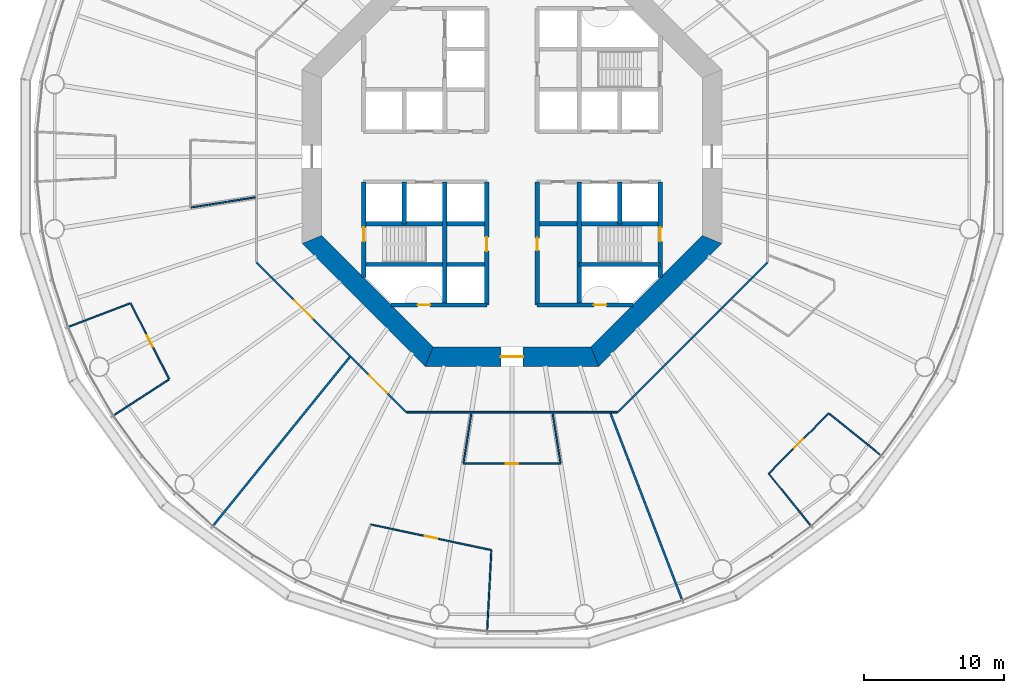
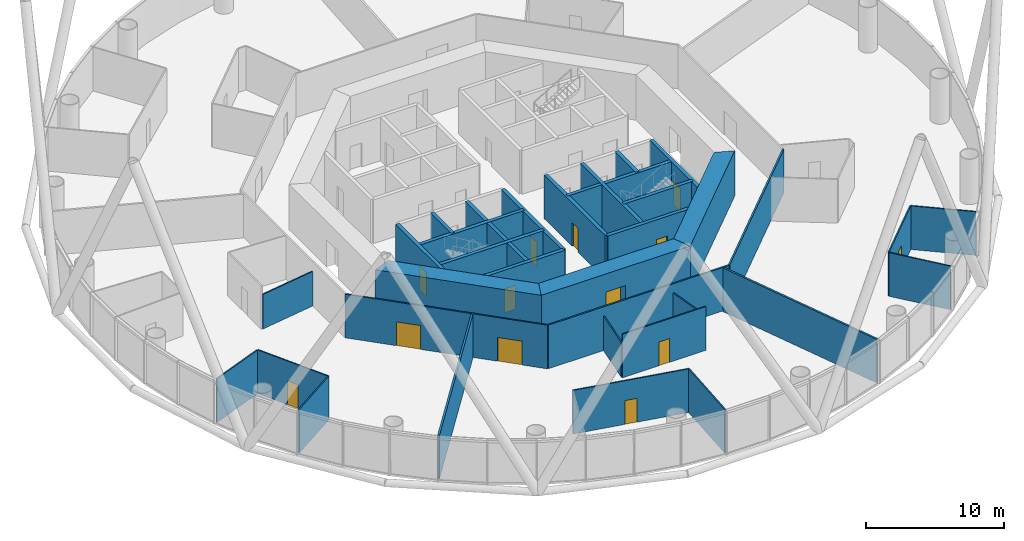
# One storey, part 3 of 13: 34 walls, 13 doors, 13 openings.
"""IFC4 building model written with IfcOpenShell, lengths in metres."""

from ifc_helpers import new_model, si_unit, direction, frame, frame_2d, origin, place, context, subcontext, project, spatial, polyline, rectangle, outline, extrude, material, layer, layer_set, type_object, element, fill, save


model = new_model("IFC4")

# Units and contexts
model_context = context("Model", 3, precision=1e-05, world=origin(), true_north=direction((0.0, 1.0)))
body_context = subcontext(model_context, "Body", "Model", "MODEL_VIEW")
ifc_project = project(units=[si_unit("LENGTHUNIT", "METRE"), si_unit("AREAUNIT", "SQUARE_METRE"), si_unit("VOLUMEUNIT", "CUBIC_METRE"), si_unit("PLANEANGLEUNIT", "RADIAN"), si_unit("MASSUNIT", "GRAM", prefix="KILO")], contexts=[model_context])

# Site, building, storey
site_placement = place(None, origin())
site = spatial("IfcSite", under=ifc_project, at=site_placement, CompositionType="ELEMENT")
building_placement = place(site_placement, origin())
building = spatial("IfcBuilding", under=site, at=building_placement, Name="Entoto Ring Tower", CompositionType="ELEMENT")
storey_placement = place(building_placement, frame((0.0, 0.0, 54.0)))
storey = spatial("IfcBuildingStorey", under=building, at=storey_placement, Name="L11", CompositionType="ELEMENT", Elevation=54.0)

# Wall, opening, door
ifc_material_1 = material(Name="Concrete C40/50", Category="concrete")
ifc_layer_1 = layer(ifc_material_1, 0.300048828125)
ifc_layer_set_1 = layer_set([ifc_layer_1], Name="Concrete C40/50")
wall_type_1 = type_object("IfcWallType", Name="Core enclosure wall 300 mm reinforced concrete", PredefinedType="SOLIDWALL", material=ifc_layer_set_1)
wall_1_placement = place(storey_placement, frame((100.60009765625, 71.36669921875, 0.0), z_axis=(0.0, 0.0, 1.0), x_axis=(0.0, 1.0, 0.0)))
wall_1 = element("IfcWall", 1, at=wall_1_placement, inside=storey, type_object=wall_type_1, Name="wall-L11-001", PredefinedType="SOLIDWALL", context=body_context, shape_type="SweptSolid", body=[
    extrude(rectangle(XDim=6.833251953125, YDim=0.300048828125, at=frame_2d((3.41650390625, 0.0))), origin(), (0.0, 0.0, 1.0), 3.85009765625),
])
opening_1_placement = place(wall_1_placement, frame((2.583251953125, 0.0, 0.0)))
opening_1 = element("IfcOpeningElement", 2, at=opening_1_placement, cuts=wall_1, Name="Opening K-59", PredefinedType="OPENING", context=body_context, shape_type="SweptSolid", body=[
    extrude(rectangle(XDim=1.0, YDim=2.10009765625, at=frame_2d((0.5, 1.050048828125))), frame((0.0, 0.16015625, 0.0), z_axis=(0.0, -1.0, 0.0), x_axis=(1.0, 0.0, 0.0)), (0.0, 0.0, 1.0), 0.320068359375),
])
ifc_material_2 = material(Name="Steel door leaf, fire rated", Category="steel")
ifc_layer_2 = layer(ifc_material_2, 0.050048828125)
ifc_layer_set_2 = layer_set([ifc_layer_2], Name="Steel door leaf, fire rated")
door_type_1 = type_object("IfcDoorType", Name="Fire door FD60 1000 x 2100 single leaf", OperationType="NOTDEFINED", PredefinedType="DOOR", material=ifc_layer_set_2)
door_1_placement = place(opening_1_placement, origin())
door_1 = element("IfcDoor", 3, at=door_1_placement, inside=storey, type_object=door_type_1, Name="Door K-59", OperationType="SINGLE_SWING_RIGHT", OverallHeight=2.10009765625, OverallWidth=1.0, PredefinedType="DOOR", context=body_context, shape_type="SweptSolid", body=[
    extrude(rectangle(XDim=1.0, YDim=2.10009765625, at=frame_2d((0.5, 1.050048828125))), frame((0.0, 0.02490234375, 0.0), z_axis=(0.0, -1.0, 0.0), x_axis=(1.0, 0.0, 0.0)), (0.0, 0.0, 1.0), 0.050048828125),
])
fill(opening_1, door_1)

# Walls
wall_2_placement = place(storey_placement, frame((97.699951171875, 75.199951171875, 0.0), z_axis=(0.0, 0.0, 1.0), x_axis=(0.0, 1.0, 0.0)))
element("IfcWall", 4, at=wall_2_placement, inside=storey, type_object=wall_type_1, Name="wall-L11-003", PredefinedType="SOLIDWALL", context=body_context, shape_type="SweptSolid", body=[
    extrude(rectangle(XDim=3.0, YDim=0.300048828125, at=frame_2d((1.5, 0.0))), origin(), (0.0, 0.0, 1.0), 3.85009765625),
])
wall_3_placement = place(storey_placement, frame((94.800048828125, 69.39990234375, 0.0), z_axis=(0.0, 0.0, 1.0), x_axis=(0.0, 1.0, 0.0)))
element("IfcWall", 5, at=wall_3_placement, inside=storey, type_object=wall_type_1, Name="wall-L11-005", PredefinedType="SOLIDWALL", context=body_context, shape_type="SweptSolid", body=[
    extrude(rectangle(XDim=8.800048828125, YDim=0.300048828125, at=frame_2d((4.39990234375, 0.0))), origin(), (0.0, 0.0, 1.0), 3.85009765625),
])

# Wall, opening, door
wall_4_placement = place(storey_placement, frame((91.800048828125, 69.39990234375, 0.0), z_axis=(0.0, 0.0, 1.0), x_axis=(0.0, 1.0, 0.0)))
wall_4 = element("IfcWall", 6, at=wall_4_placement, inside=storey, type_object=wall_type_1, Name="wall-L11-007", PredefinedType="SOLIDWALL", context=body_context, shape_type="SweptSolid", body=[
    extrude(rectangle(XDim=8.800048828125, YDim=0.300048828125, at=frame_2d((4.39990234375, 0.0))), origin(), (0.0, 0.0, 1.0), 3.85009765625),
])
opening_2_placement = place(wall_4_placement, frame((3.89990234375, 0.0, 0.0)))
opening_2 = element("IfcOpeningElement", 7, at=opening_2_placement, cuts=wall_4, Name="Opening K-12", PredefinedType="OPENING", context=body_context, shape_type="SweptSolid", body=[
    extrude(rectangle(XDim=0.89990234375, YDim=2.10009765625, at=frame_2d((0.449951171875, 1.050048828125))), frame((0.0, 0.16015625, 0.0), z_axis=(0.0, -1.0, 0.0), x_axis=(1.0, 0.0, 0.0)), (0.0, 0.0, 1.0), 0.320068359375),
])
ifc_material_3 = material(Name="Steel door leaf, fire rated", Category="steel")
ifc_layer_3 = layer(ifc_material_3, 0.050048828125)
ifc_layer_set_3 = layer_set([ifc_layer_3], Name="Steel door leaf, fire rated")
door_type_2 = type_object("IfcDoorType", Name="Core door 900 x 2100 single leaf", OperationType="NOTDEFINED", PredefinedType="DOOR", material=ifc_layer_set_3)
door_2_placement = place(opening_2_placement, frame((0.89990234375, 0.0, 0.0), z_axis=(0.0, 0.0, 1.0), x_axis=(-1.0, 0.0, 0.0)))
door_2 = element("IfcDoor", 8, at=door_2_placement, inside=storey, type_object=door_type_2, Name="Door K-12", OperationType="SINGLE_SWING_LEFT", OverallHeight=2.10009765625, OverallWidth=0.89990234375, PredefinedType="DOOR", context=body_context, shape_type="SweptSolid", body=[
    extrude(rectangle(XDim=0.89990234375, YDim=2.10009765625, at=frame_2d((0.449951171875, 1.050048828125))), frame((0.0, 0.02490234375, 0.0), z_axis=(0.0, -1.0, 0.0), x_axis=(1.0, 0.0, 0.0)), (0.0, 0.0, 1.0), 0.050048828125),
])
fill(opening_2, door_2)

wall_5_placement = place(storey_placement, frame((88.199951171875, 69.39990234375, 0.0), z_axis=(0.0, 0.0, 1.0), x_axis=(0.0, 1.0, 0.0)))
wall_5 = element("IfcWall", 9, at=wall_5_placement, inside=storey, type_object=wall_type_1, Name="wall-L11-009", PredefinedType="SOLIDWALL", context=body_context, shape_type="SweptSolid", body=[
    extrude(rectangle(XDim=8.800048828125, YDim=0.300048828125, at=frame_2d((4.39990234375, 0.0))), origin(), (0.0, 0.0, 1.0), 3.85009765625),
])
opening_3_placement = place(wall_5_placement, frame((3.85009765625, 0.0, 0.0)))
opening_3 = element("IfcOpeningElement", 10, at=opening_3_placement, cuts=wall_5, Name="Opening K-13", PredefinedType="OPENING", context=body_context, shape_type="SweptSolid", body=[
    extrude(rectangle(XDim=1.0, YDim=2.10009765625, at=frame_2d((0.5, 1.050048828125))), frame((0.0, 0.16015625, 0.0), z_axis=(0.0, -1.0, 0.0), x_axis=(1.0, 0.0, 0.0)), (0.0, 0.0, 1.0), 0.320068359375),
])
ifc_material_4 = material(Name="Steel door leaf, fire rated", Category="steel")
ifc_layer_4 = layer(ifc_material_4, 0.050048828125)
ifc_layer_set_4 = layer_set([ifc_layer_4], Name="Steel door leaf, fire rated")
door_type_3 = type_object("IfcDoorType", Name="Accessible door 1000 x 2100 single leaf", OperationType="NOTDEFINED", PredefinedType="DOOR", material=ifc_layer_set_4)
door_3_placement = place(opening_3_placement, origin())
door_3 = element("IfcDoor", 11, at=door_3_placement, inside=storey, type_object=door_type_3, Name="Door K-13", OperationType="SINGLE_SWING_LEFT", OverallHeight=2.10009765625, OverallWidth=1.0, PredefinedType="DOOR", context=body_context, shape_type="SweptSolid", body=[
    extrude(rectangle(XDim=1.0, YDim=2.10009765625, at=frame_2d((0.5, 1.050048828125))), frame((0.0, 0.02490234375, 0.0), z_axis=(0.0, -1.0, 0.0), x_axis=(1.0, 0.0, 0.0)), (0.0, 0.0, 1.0), 0.050048828125),
])
fill(opening_3, door_3)

# Walls
wall_6_placement = place(storey_placement, frame((85.199951171875, 69.39990234375, 0.0), z_axis=(0.0, 0.0, 1.0), x_axis=(0.0, 1.0, 0.0)))
element("IfcWall", 12, at=wall_6_placement, inside=storey, type_object=wall_type_1, Name="wall-L11-011", PredefinedType="SOLIDWALL", context=body_context, shape_type="SweptSolid", body=[
    extrude(rectangle(XDim=8.800048828125, YDim=0.300048828125, at=frame_2d((4.39990234375, 0.0))), origin(), (0.0, 0.0, 1.0), 3.85009765625),
])
wall_7_placement = place(storey_placement, frame((82.300048828125, 75.199951171875, 0.0), z_axis=(0.0, 0.0, 1.0), x_axis=(0.0, 1.0, 0.0)))
element("IfcWall", 13, at=wall_7_placement, inside=storey, type_object=wall_type_1, Name="wall-L11-013", PredefinedType="SOLIDWALL", context=body_context, shape_type="SweptSolid", body=[
    extrude(rectangle(XDim=3.0, YDim=0.300048828125, at=frame_2d((1.5, 0.0))), origin(), (0.0, 0.0, 1.0), 3.85009765625),
])

# Wall, opening, door
wall_8_placement = place(storey_placement, frame((79.39990234375, 71.36669921875, 0.0), z_axis=(0.0, 0.0, 1.0), x_axis=(0.0, 1.0, 0.0)))
wall_8 = element("IfcWall", 14, at=wall_8_placement, inside=storey, type_object=wall_type_1, Name="wall-L11-015", PredefinedType="SOLIDWALL", context=body_context, shape_type="SweptSolid", body=[
    extrude(rectangle(XDim=6.833251953125, YDim=0.300048828125, at=frame_2d((3.41650390625, 0.0))), origin(), (0.0, 0.0, 1.0), 3.85009765625),
])
opening_4_placement = place(wall_8_placement, frame((2.583251953125, 0.0, 0.0)))
opening_4 = element("IfcOpeningElement", 15, at=opening_4_placement, cuts=wall_8, Name="Opening K-17", PredefinedType="OPENING", context=body_context, shape_type="SweptSolid", body=[
    extrude(rectangle(XDim=1.0, YDim=2.10009765625, at=frame_2d((0.5, 1.050048828125))), frame((0.0, 0.16015625, 0.0), z_axis=(0.0, -1.0, 0.0), x_axis=(1.0, 0.0, 0.0)), (0.0, 0.0, 1.0), 0.320068359375),
])
door_4_placement = place(opening_4_placement, frame((1.0, 0.0, 0.0), z_axis=(0.0, 0.0, 1.0), x_axis=(-1.0, 0.0, 0.0)))
door_4 = element("IfcDoor", 16, at=door_4_placement, inside=storey, type_object=door_type_1, Name="Door K-17", OperationType="SINGLE_SWING_LEFT", OverallHeight=2.10009765625, OverallWidth=1.0, PredefinedType="DOOR", context=body_context, shape_type="SweptSolid", body=[
    extrude(rectangle(XDim=1.0, YDim=2.10009765625, at=frame_2d((0.5, 1.050048828125))), frame((0.0, 0.02490234375, 0.0), z_axis=(0.0, -1.0, 0.0), x_axis=(1.0, 0.0, 0.0)), (0.0, 0.0, 1.0), 0.050048828125),
])
fill(opening_4, door_4)

wall_9_placement = place(storey_placement, frame((81.36669921875, 69.39990234375, 0.0), z_axis=(0.0, 0.0, 1.0), x_axis=(1.0, 0.0, 0.0)))
wall_9 = element("IfcWall", 17, at=wall_9_placement, inside=storey, type_object=wall_type_1, Name="wall-L11-017", PredefinedType="SOLIDWALL", context=body_context, shape_type="SweptSolid", body=[
    extrude(rectangle(XDim=6.833251953125, YDim=0.300048828125, at=frame_2d((3.41650390625, 0.0))), origin(), (0.0, 0.0, 1.0), 3.85009765625),
])
opening_5_placement = place(wall_9_placement, frame((1.88330078125, 0.0, 0.0)))
opening_5 = element("IfcOpeningElement", 18, at=opening_5_placement, cuts=wall_9, Name="Opening K-20", PredefinedType="OPENING", context=body_context, shape_type="SweptSolid", body=[
    extrude(rectangle(XDim=0.89990234375, YDim=2.10009765625, at=frame_2d((0.449951171875, 1.050048828125))), frame((0.0, 0.16015625, 0.0), z_axis=(0.0, -1.0, 0.0), x_axis=(1.0, 0.0, 0.0)), (0.0, 0.0, 1.0), 0.320068359375),
])
ifc_material_5 = material(Name="Steel door leaf, fire rated", Category="steel")
ifc_layer_5 = layer(ifc_material_5, 0.050048828125)
ifc_layer_set_5 = layer_set([ifc_layer_5], Name="Steel door leaf, fire rated")
door_type_4 = type_object("IfcDoorType", Name="Riser door FD60 900 x 2100 single leaf", OperationType="NOTDEFINED", PredefinedType="DOOR", material=ifc_layer_set_5)
door_5_placement = place(opening_5_placement, origin())
door_5 = element("IfcDoor", 19, at=door_5_placement, inside=storey, type_object=door_type_4, Name="Door K-20", OperationType="SINGLE_SWING_RIGHT", OverallHeight=2.10009765625, OverallWidth=0.89990234375, PredefinedType="DOOR", context=body_context, shape_type="SweptSolid", body=[
    extrude(rectangle(XDim=0.89990234375, YDim=2.10009765625, at=frame_2d((0.449951171875, 1.050048828125))), frame((0.0, 0.02490234375, 0.0), z_axis=(0.0, -1.0, 0.0), x_axis=(1.0, 0.0, 0.0)), (0.0, 0.0, 1.0), 0.050048828125),
])
fill(opening_5, door_5)

wall_10_placement = place(storey_placement, frame((91.800048828125, 69.39990234375, 0.0), z_axis=(0.0, 0.0, 1.0), x_axis=(1.0, 0.0, 0.0)))
wall_10 = element("IfcWall", 20, at=wall_10_placement, inside=storey, type_object=wall_type_1, Name="wall-L11-018", PredefinedType="SOLIDWALL", context=body_context, shape_type="SweptSolid", body=[
    extrude(rectangle(XDim=6.833251953125, YDim=0.300048828125, at=frame_2d((3.41650390625, 0.0))), origin(), (0.0, 0.0, 1.0), 3.85009765625),
])
opening_6_placement = place(wall_10_placement, frame((4.050048828125, 0.0, 0.0)))
opening_6 = element("IfcOpeningElement", 21, at=opening_6_placement, cuts=wall_10, Name="Opening K-66", PredefinedType="OPENING", context=body_context, shape_type="SweptSolid", body=[
    extrude(rectangle(XDim=0.89990234375, YDim=2.10009765625, at=frame_2d((0.449951171875, 1.050048828125))), frame((0.0, 0.16015625, 0.0), z_axis=(0.0, -1.0, 0.0), x_axis=(1.0, 0.0, 0.0)), (0.0, 0.0, 1.0), 0.320068359375),
])
door_6_placement = place(opening_6_placement, origin())
door_6 = element("IfcDoor", 22, at=door_6_placement, inside=storey, type_object=door_type_4, Name="Door K-66", OperationType="SINGLE_SWING_LEFT", OverallHeight=2.10009765625, OverallWidth=0.89990234375, PredefinedType="DOOR", context=body_context, shape_type="SweptSolid", body=[
    extrude(rectangle(XDim=0.89990234375, YDim=2.10009765625, at=frame_2d((0.449951171875, 1.050048828125))), frame((0.0, 0.02490234375, 0.0), z_axis=(0.0, -1.0, 0.0), x_axis=(1.0, 0.0, 0.0)), (0.0, 0.0, 1.0), 0.050048828125),
])
fill(opening_6, door_6)

# Walls
wall_11_placement = place(storey_placement, frame((79.39990234375, 72.300048828125, 0.0), z_axis=(0.0, 0.0, 1.0), x_axis=(1.0, 0.0, 0.0)))
element("IfcWall", 23, at=wall_11_placement, inside=storey, type_object=wall_type_1, Name="wall-L11-019", PredefinedType="SOLIDWALL", context=body_context, shape_type="SweptSolid", body=[
    extrude(rectangle(XDim=8.800048828125, YDim=0.300048828125, at=frame_2d((4.39990234375, 0.0))), origin(), (0.0, 0.0, 1.0), 3.85009765625),
])
wall_12_placement = place(storey_placement, frame((94.800048828125, 72.300048828125, 0.0), z_axis=(0.0, 0.0, 1.0), x_axis=(1.0, 0.0, 0.0)))
element("IfcWall", 24, at=wall_12_placement, inside=storey, type_object=wall_type_1, Name="wall-L11-020", PredefinedType="SOLIDWALL", context=body_context, shape_type="SweptSolid", body=[
    extrude(rectangle(XDim=5.800048828125, YDim=0.300048828125, at=frame_2d((2.89990234375, 0.0))), origin(), (0.0, 0.0, 1.0), 3.85009765625),
])
for number, where, z_axis, x_axis, name in (
    (25, (79.39990234375, 75.199951171875, 0.0), (0.0, 0.0, 1.0), (1.0, 0.0, 0.0), "wall-L11-021"),
    (26, (91.800048828125, 75.199951171875, 0.0), (0.0, 0.0, 1.0), (1.0, 0.0, 0.0), "wall-L11-022"),
):
    element("IfcWall", number, at=place(storey_placement, frame(where, z_axis=z_axis, x_axis=x_axis)), inside=storey, type_object=wall_type_1, Name=name, PredefinedType="SOLIDWALL", context=body_context, shape_type="SweptSolid", body=[
        extrude(rectangle(XDim=8.800048828125, YDim=0.300048828125, at=frame_2d((4.39990234375, 0.0))), origin(), (0.0, 0.0, 1.0), 3.85009765625),
    ])
ifc_material_6 = material(Name="Concrete C60/75", Category="concrete")
ifc_layer_6 = layer(ifc_material_6, 1.39990234375)
ifc_layer_set_6 = layer_set([ifc_layer_6], Name="Concrete C60/75")
wall_type_2 = type_object("IfcWallType", Name="Core shear wall 1400 mm reinforced concrete C60/75", PredefinedType="SHEAR", material=ifc_layer_set_6)
wall_13_placement = place(storey_placement, frame((75.699951171875, 74.07666015625, 0.0), z_axis=(0.0, 0.0, 1.0), x_axis=(0.707106781187, -0.707106781187, 0.0)))
element("IfcWall", 27, at=wall_13_placement, inside=storey, type_object=wall_type_2, Name="wall-L11-core-5", PredefinedType="SHEAR", context=body_context, shape_type="SweptSolid", body=[
    extrude(outline(polyline([(-0.2900390625, -0.699951171875), (12.136474609375, -0.699951171875), (11.556396484375, 0.699951171875), (0.2900390625, 0.699951171875), (-0.2900390625, -0.699951171875)])), origin(), (0.0, 0.0, 1.0), 4.0),
])

# Wall, opening, door
wall_14_placement = place(storey_placement, frame((84.07666015625, 65.699951171875, 0.0), z_axis=(0.0, 0.0, 1.0), x_axis=(1.0, 0.0, 0.0)))
wall_14 = element("IfcWall", 28, at=wall_14_placement, inside=storey, type_object=wall_type_2, Name="wall-L11-core-6", PredefinedType="SHEAR", context=body_context, shape_type="SweptSolid", body=[
    extrude(outline(polyline([(-0.2900390625, -0.699951171875), (12.13671875, -0.699951171875), (11.556640625, 0.699951171875), (0.2900390625, 0.699951171875), (-0.2900390625, -0.699951171875)])), origin(), (0.0, 0.0, 1.0), 4.0),
])
opening_7_placement = place(wall_14_placement, frame((5.123291015625, 0.0, 0.0)))
opening_7 = element("IfcOpeningElement", 29, at=opening_7_placement, cuts=wall_14, Name="Opening K-04", PredefinedType="OPENING", context=body_context, shape_type="SweptSolid", body=[
    extrude(rectangle(XDim=1.60009765625, YDim=2.39990234375, at=frame_2d((0.800048828125, 1.199951171875))), frame((0.0, 0.7099609375, 0.0), z_axis=(0.0, -1.0, 0.0), x_axis=(1.0, 0.0, 0.0)), (0.0, 0.0, 1.0), 1.419921875),
])
ifc_material_7 = material(Name="Steel door leaf, fire rated", Category="steel")
ifc_layer_7 = layer(ifc_material_7, 0.050048828125)
ifc_layer_set_7 = layer_set([ifc_layer_7], Name="Steel door leaf, fire rated")
door_type_5 = type_object("IfcDoorType", Name="Entrance door FD60 1600 x 2400 double leaf", OperationType="DOUBLE_DOOR_SINGLE_SWING", PredefinedType="DOOR", material=ifc_layer_set_7)
door_7_placement = place(opening_7_placement, origin())
door_7 = element("IfcDoor", 30, at=door_7_placement, inside=storey, type_object=door_type_5, Name="Entrance door K-04", OperationType="DOUBLE_DOOR_SINGLE_SWING", OverallHeight=2.39990234375, OverallWidth=1.60009765625, PredefinedType="DOOR", context=body_context, shape_type="SweptSolid", body=[
    extrude(rectangle(XDim=1.60009765625, YDim=2.39990234375, at=frame_2d((0.800048828125, 1.199951171875))), frame((0.0, 0.02490234375, 0.0), z_axis=(0.0, -1.0, 0.0), x_axis=(1.0, 0.0, 0.0)), (0.0, 0.0, 1.0), 0.050048828125),
])
fill(opening_7, door_7)

# Wall
wall_15_placement = place(storey_placement, frame((95.92333984375, 65.699951171875, 0.0), z_axis=(0.0, 0.0, 1.0), x_axis=(0.707106781187, 0.707106781187, 0.0)))
element("IfcWall", 31, at=wall_15_placement, inside=storey, type_object=wall_type_2, Name="wall-L11-core-7", PredefinedType="SHEAR", context=body_context, shape_type="SweptSolid", body=[
    extrude(outline(polyline([(-0.2900390625, -0.699951171875), (12.136474609375, -0.699951171875), (11.556396484375, 0.699951171875), (0.2900390625, 0.699951171875), (-0.2900390625, -0.699951171875)])), origin(), (0.0, 0.0, 1.0), 4.0),
])

# Wall, openings, doors
ifc_material_8 = material(Name="Fire-resisting plasterboard on steel studs", Category="steel")
ifc_layer_8 = layer(ifc_material_8, 0.125)
ifc_layer_set_8 = layer_set([ifc_layer_8], Name="Fire-resisting plasterboard on steel studs")
wall_type_3 = type_object("IfcWallType", Name="Corridor wall 125 mm one-hour plasterboard on steel studs", PredefinedType="PARTITIONING", material=ifc_layer_set_8)
wall_16_placement = place(storey_placement, frame((82.435302734375, 61.737548828125, 0.0), z_axis=(0.0, 0.0, 1.0), x_axis=(-0.707106781187, 0.707106781187, 0.0)))
wall_16 = element("IfcWall", 32, at=wall_16_placement, inside=storey, type_object=wall_type_3, Name="partition-L11-002", PredefinedType="PARTITIONING", context=body_context, shape_type="SweptSolid", body=[
    extrude(rectangle(XDim=15.12890625, YDim=0.125, at=frame_2d((7.564453125, 0.0))), origin(), (0.0, 0.0, 1.0), 3.85009765625),
])
opening_8_placement = place(wall_16_placement, frame((9.487060546875, 0.0, 0.0)))
opening_8 = element("IfcOpeningElement", 33, at=opening_8_placement, cuts=wall_16, Name="Opening A05-D01", PredefinedType="OPENING", context=body_context, shape_type="SweptSolid", body=[
    extrude(rectangle(XDim=1.800048828125, YDim=2.10009765625, at=frame_2d((0.89990234375, 1.050048828125))), frame((0.0, 0.072509765625, 0.0), z_axis=(0.0, -1.0, 0.0), x_axis=(1.0, 0.0, 0.0)), (0.0, 0.0, 1.0), 0.14501953125),
])
opening_9_placement = place(wall_16_placement, frame((1.922607421875, 0.0, 0.0)))
opening_9 = element("IfcOpeningElement", 34, at=opening_9_placement, cuts=wall_16, Name="Opening A05-D05", PredefinedType="OPENING", context=body_context, shape_type="SweptSolid", body=[
    extrude(rectangle(XDim=1.800048828125, YDim=2.10009765625, at=frame_2d((0.89990234375, 1.050048828125))), frame((0.0, 0.072509765625, 0.0), z_axis=(0.0, -1.0, 0.0), x_axis=(1.0, 0.0, 0.0)), (0.0, 0.0, 1.0), 0.14501953125),
])
ifc_material_9 = material(Name="Fire-resisting timber door set", Category="wood")
door_type_6 = type_object("IfcDoorType", Name="Door 1800 x 2100 double leaf FD30S fire door", OperationType="DOUBLE_DOOR_SINGLE_SWING", PredefinedType="DOOR", material=ifc_material_9)
door_8_placement = place(opening_8_placement, origin())
door_8 = element("IfcDoor", 35, at=door_8_placement, inside=storey, type_object=door_type_6, Name="Door A05-D01", OperationType="DOUBLE_DOOR_SINGLE_SWING", OverallHeight=2.10009765625, OverallWidth=1.800048828125, PredefinedType="DOOR", context=body_context, shape_type="SweptSolid", body=[
    extrude(rectangle(XDim=1.800048828125, YDim=2.10009765625, at=frame_2d((0.89990234375, 1.050048828125))), frame((0.0, 0.02490234375, 0.0), z_axis=(0.0, -1.0, 0.0), x_axis=(1.0, 0.0, 0.0)), (0.0, 0.0, 1.0), 0.050048828125),
])
fill(opening_8, door_8)
door_9_placement = place(opening_9_placement, origin())
door_9 = element("IfcDoor", 36, at=door_9_placement, inside=storey, type_object=door_type_6, Name="Door A05-D05", OperationType="DOUBLE_DOOR_SINGLE_SWING", OverallHeight=2.10009765625, OverallWidth=1.800048828125, PredefinedType="DOOR", context=body_context, shape_type="SweptSolid", body=[
    extrude(rectangle(XDim=1.800048828125, YDim=2.10009765625, at=frame_2d((0.89990234375, 1.050048828125))), frame((0.0, 0.02490234375, 0.0), z_axis=(0.0, -1.0, 0.0), x_axis=(1.0, 0.0, 0.0)), (0.0, 0.0, 1.0), 0.050048828125),
])
fill(opening_9, door_9)

# Walls
wall_17_placement = place(storey_placement, frame((97.564697265625, 61.737548828125, 0.0), z_axis=(0.0, 0.0, 1.0), x_axis=(0.707106781187, 0.707106781187, 0.0)))
element("IfcWall", 37, at=wall_17_placement, inside=storey, type_object=wall_type_3, Name="partition-L11-003", PredefinedType="PARTITIONING", context=body_context, shape_type="SweptSolid", body=[
    extrude(rectangle(XDim=15.12890625, YDim=0.125, at=frame_2d((7.564453125, 0.0))), origin(), (0.0, 0.0, 1.0), 3.85009765625),
])
wall_18_placement = place(storey_placement, frame((82.4794921875, 61.737548828125, 0.0), z_axis=(0.0, 0.0, 1.0), x_axis=(1.0, 0.0, 0.0)))
element("IfcWall", 38, at=wall_18_placement, inside=storey, type_object=wall_type_3, Name="partition-L11-006", PredefinedType="PARTITIONING", context=body_context, shape_type="SweptSolid", body=[
    extrude(rectangle(XDim=15.041015625, YDim=0.125, at=frame_2d((7.5205078125, 0.0))), origin(), (0.0, 0.0, 1.0), 3.85009765625),
])

# Wall, opening, door
ifc_material_10 = material(Name="Plasterboard on steel studs", Category="steel")
ifc_layer_9 = layer(ifc_material_10, 0.10009765625)
ifc_layer_set_9 = layer_set([ifc_layer_9], Name="Plasterboard on steel studs")
wall_type_4 = type_object("IfcWallType", Name="Partition 100 mm plasterboard on steel studs", PredefinedType="PARTITIONING", material=ifc_layer_set_9)
wall_19_placement = place(storey_placement, frame((88.526123046875, 51.878662109375, 0.0), z_axis=(0.0, 0.0, 1.0), x_axis=(-0.978146594853, 0.20791642306, 0.0)))
wall_19 = element("IfcWall", 39, at=wall_19_placement, inside=storey, type_object=wall_type_4, Name="partition-L11-014", PredefinedType="PARTITIONING", context=body_context, shape_type="SweptSolid", body=[
    extrude(rectangle(XDim=8.810302734375, YDim=0.10009765625, at=frame_2d((4.4052734375, 0.0))), origin(), (0.0, 0.0, 1.0), 3.85009765625),
])
opening_10_placement = place(wall_19_placement, frame((3.955078125, 0.0, 0.0)))
opening_10 = element("IfcOpeningElement", 40, at=opening_10_placement, cuts=wall_19, Name="Opening A05-D07", PredefinedType="OPENING", context=body_context, shape_type="SweptSolid", body=[
    extrude(rectangle(XDim=0.89990234375, YDim=2.10009765625, at=frame_2d((0.449951171875, 1.050048828125))), frame((0.0, 0.06005859375, 0.0), z_axis=(0.0, -1.0, 0.0), x_axis=(1.0, 0.0, 0.0)), (0.0, 0.0, 1.0), 0.1201171875),
])
ifc_material_11 = material(Name="Veneered timber door leaf in timber frame", Category="wood")
door_type_7 = type_object("IfcDoorType", Name="Door 900 x 2100 single leaf timber veneer", OperationType="NOTDEFINED", PredefinedType="DOOR", material=ifc_material_11)
door_10_placement = place(opening_10_placement, origin())
door_10 = element("IfcDoor", 41, at=door_10_placement, inside=storey, type_object=door_type_7, Name="Door A05-D07", OperationType="SINGLE_SWING_RIGHT", OverallHeight=2.10009765625, OverallWidth=0.89990234375, PredefinedType="DOOR", context=body_context, shape_type="SweptSolid", body=[
    extrude(rectangle(XDim=0.89990234375, YDim=2.10009765625, at=frame_2d((0.449951171875, 1.050048828125))), frame((0.0, 0.02490234375, 0.0), z_axis=(0.0, -1.0, 0.0), x_axis=(1.0, 0.0, 0.0)), (0.0, 0.0, 1.0), 0.050048828125),
])
fill(opening_10, door_10)

wall_20_placement = place(storey_placement, frame((86.524658203125, 58.0576171875, 0.0), z_axis=(0.0, 0.0, 1.0), x_axis=(1.0, 0.0, 0.0)))
wall_20 = element("IfcWall", 42, at=wall_20_placement, inside=storey, type_object=wall_type_4, Name="partition-L11-018", PredefinedType="PARTITIONING", context=body_context, shape_type="SweptSolid", body=[
    extrude(rectangle(XDim=6.95068359375, YDim=0.10009765625, at=frame_2d((3.475341796875, 0.0))), origin(), (0.0, 0.0, 1.0), 3.85009765625),
])
opening_11_placement = place(wall_20_placement, frame((3.025390625, 0.0, 0.0)))
opening_11 = element("IfcOpeningElement", 43, at=opening_11_placement, cuts=wall_20, Name="Opening A05-D06", PredefinedType="OPENING", context=body_context, shape_type="SweptSolid", body=[
    extrude(rectangle(XDim=0.89990234375, YDim=2.10009765625, at=frame_2d((0.449951171875, 1.050048828125))), frame((0.0, 0.06005859375, 0.0), z_axis=(0.0, -1.0, 0.0), x_axis=(1.0, 0.0, 0.0)), (0.0, 0.0, 1.0), 0.1201171875),
])
door_11_placement = place(opening_11_placement, origin())
door_11 = element("IfcDoor", 44, at=door_11_placement, inside=storey, type_object=door_type_7, Name="Door A05-D06", OperationType="SINGLE_SWING_RIGHT", OverallHeight=2.10009765625, OverallWidth=0.89990234375, PredefinedType="DOOR", context=body_context, shape_type="SweptSolid", body=[
    extrude(rectangle(XDim=0.89990234375, YDim=2.10009765625, at=frame_2d((0.449951171875, 1.050048828125))), frame((0.0, 0.02490234375, 0.0), z_axis=(0.0, -1.0, 0.0), x_axis=(1.0, 0.0, 0.0)), (0.0, 0.0, 1.0), 0.050048828125),
])
fill(opening_11, door_11)

wall_21_placement = place(storey_placement, frame((65.50244140625, 64.091064453125, 0.0), z_axis=(0.0, 0.0, 1.0), x_axis=(-0.454013220011, 0.890994947267, 0.0)))
wall_21 = element("IfcWall", 45, at=wall_21_placement, inside=storey, type_object=wall_type_4, Name="partition-L11-019", PredefinedType="PARTITIONING", context=body_context, shape_type="SweptSolid", body=[
    extrude(rectangle(XDim=6.1064453125, YDim=0.10009765625, at=frame_2d((3.05322265625, 0.0))), origin(), (0.0, 0.0, 1.0), 3.85009765625),
])
opening_12_placement = place(wall_21_placement, frame((2.603271484375, 0.0, 0.0)))
opening_12 = element("IfcOpeningElement", 46, at=opening_12_placement, cuts=wall_21, Name="Opening A05-D04", PredefinedType="OPENING", context=body_context, shape_type="SweptSolid", body=[
    extrude(rectangle(XDim=0.89990234375, YDim=2.10009765625, at=frame_2d((0.449951171875, 1.050048828125))), frame((0.0, 0.06005859375, 0.0), z_axis=(0.0, -1.0, 0.0), x_axis=(1.0, 0.0, 0.0)), (0.0, 0.0, 1.0), 0.1201171875),
])
door_12_placement = place(opening_12_placement, origin())
door_12 = element("IfcDoor", 47, at=door_12_placement, inside=storey, type_object=door_type_7, Name="Door A05-D04", OperationType="SINGLE_SWING_RIGHT", OverallHeight=2.10009765625, OverallWidth=0.89990234375, PredefinedType="DOOR", context=body_context, shape_type="SweptSolid", body=[
    extrude(rectangle(XDim=0.89990234375, YDim=2.10009765625, at=frame_2d((0.449951171875, 1.050048828125))), frame((0.0, 0.02490234375, 0.0), z_axis=(0.0, -1.0, 0.0), x_axis=(1.0, 0.0, 0.0)), (0.0, 0.0, 1.0), 0.050048828125),
])
fill(opening_12, door_12)

wall_22_placement = place(storey_placement, frame((108.33837890625, 57.35400390625, 0.0), z_axis=(0.0, 0.0, 1.0), x_axis=(0.707106781187, 0.707106781187, 0.0)))
wall_22 = element("IfcWall", 48, at=wall_22_placement, inside=storey, type_object=wall_type_4, Name="partition-L11-020", PredefinedType="PARTITIONING", context=body_context, shape_type="SweptSolid", body=[
    extrude(rectangle(XDim=6.091796875, YDim=0.10009765625, at=frame_2d((3.0458984375, 0.0))), origin(), (0.0, 0.0, 1.0), 3.85009765625),
])
opening_13_placement = place(wall_22_placement, frame((2.595947265625, 0.0, 0.0)))
opening_13 = element("IfcOpeningElement", 49, at=opening_13_placement, cuts=wall_22, Name="Opening A05-D10", PredefinedType="OPENING", context=body_context, shape_type="SweptSolid", body=[
    extrude(rectangle(XDim=0.89990234375, YDim=2.10009765625, at=frame_2d((0.449951171875, 1.050048828125))), frame((0.0, 0.06005859375, 0.0), z_axis=(0.0, -1.0, 0.0), x_axis=(1.0, 0.0, 0.0)), (0.0, 0.0, 1.0), 0.1201171875),
])
door_13_placement = place(opening_13_placement, frame((0.89990234375, 0.0, 0.0), z_axis=(0.0, 0.0, 1.0), x_axis=(-1.0, 0.0, 0.0)))
door_13 = element("IfcDoor", 50, at=door_13_placement, inside=storey, type_object=door_type_7, Name="Door A05-D10", OperationType="SINGLE_SWING_LEFT", OverallHeight=2.10009765625, OverallWidth=0.89990234375, PredefinedType="DOOR", context=body_context, shape_type="SweptSolid", body=[
    extrude(rectangle(XDim=0.89990234375, YDim=2.10009765625, at=frame_2d((0.449951171875, 1.050048828125))), frame((0.0, 0.02490234375, 0.0), z_axis=(0.0, -1.0, 0.0), x_axis=(1.0, 0.0, 0.0)), (0.0, 0.0, 1.0), 0.050048828125),
])
fill(opening_13, door_13)

# Walls
wall_23_placement = place(storey_placement, frame((88.2236328125, 46.1064453125, 0.0), z_axis=(0.0, 0.0, 1.0), x_axis=(0.052357591588, 0.998628400659, 0.0)))
element("IfcWall", 51, at=wall_23_placement, inside=storey, type_object=wall_type_4, Name="partition-L11-026", PredefinedType="PARTITIONING", context=body_context, shape_type="SweptSolid", body=[
    extrude(rectangle(XDim=5.730712890625, YDim=0.10009765625, at=frame_2d((2.865234375, 0.0))), origin(), (0.0, 0.0, 1.0), 3.85009765625),
])
for number, where, z_axis, x_axis, name in (
    (52, (111.359130859375, 53.623779296875, 0.0), (0.0, 0.0, 1.0), (-0.629328325934, 0.777139535847, 0.0), "partition-L11-034"),
    (53, (116.376220703125, 58.640869140625, 0.0), (0.0, 0.0, 1.0), (-0.777139535847, 0.629328325934, 0.0), "partition-L11-035"),
):
    element("IfcWall", number, at=place(storey_placement, frame(where, z_axis=z_axis, x_axis=x_axis)), inside=storey, type_object=wall_type_4, Name=name, PredefinedType="PARTITIONING", context=body_context, shape_type="SweptSolid", body=[
        extrude(rectangle(XDim=4.750244140625, YDim=0.10009765625, at=frame_2d((2.375, 0.0))), origin(), (0.0, 0.0, 1.0), 3.85009765625),
    ])
for number, where, z_axis, x_axis, name in (
    (54, (58.314208984375, 67.8369140625, 0.0), (0.0, 0.0, 1.0), (0.933563228865, 0.358412747697, 0.0), "partition-L11-037"),
    (55, (61.535400390625, 61.514892578125, 0.0), (0.0, 0.0, 1.0), (0.838674744325, 0.5446326039, 0.0), "partition-L11-038"),
):
    element("IfcWall", number, at=place(storey_placement, frame(where, z_axis=z_axis, x_axis=x_axis)), inside=storey, type_object=wall_type_4, Name=name, PredefinedType="PARTITIONING", context=body_context, shape_type="SweptSolid", body=[
        extrude(rectangle(XDim=4.680419921875, YDim=0.10009765625, at=frame_2d((2.34033203125, 0.0))), origin(), (0.0, 0.0, 1.0), 3.85009765625),
    ])
ifc_material_12 = material(Name="Plasterboard on steel studs", Category="steel")
ifc_layer_10 = layer(ifc_material_12, 0.10009765625)
ifc_layer_set_10 = layer_set([ifc_layer_10], Name="Plasterboard on steel studs")
wall_type_5 = type_object("IfcWallType", Name="Partition 100 mm plasterboard on steel studs, 3050 mm high", PredefinedType="PARTITIONING", material=ifc_layer_set_10)
wall_24_placement = place(storey_placement, frame((67.0751953125, 76.369140625, 0.0), z_axis=(0.0, 0.0, 1.0), x_axis=(0.987688770103, 0.156431753211, 0.0)))
element("IfcWall", 56, at=wall_24_placement, inside=storey, type_object=wall_type_5, Name="partition-L11-036", PredefinedType="PARTITIONING", context=body_context, shape_type="SweptSolid", body=[
    extrude(rectangle(XDim=4.649169921875, YDim=0.10009765625, at=frame_2d((2.32470703125, 0.0))), origin(), (0.0, 0.0, 1.0), 3.050048828125),
])
for number, where, z_axis, x_axis, name in (
    (57, (86.53369140625, 58.115234375, 0.0), (0.0, 0.0, 1.0), (0.156478489952, 0.987681366728, 0.0), "partition-L11-043"),
    (58, (93.46630859375, 58.115234375, 0.0), (0.0, 0.0, 1.0), (-0.156478489952, 0.987681366728, 0.0), "partition-L11-044"),
):
    element("IfcWall", number, at=place(storey_placement, frame(where, z_axis=z_axis, x_axis=x_axis)), inside=storey, type_object=wall_type_5, Name=name, PredefinedType="PARTITIONING", context=body_context, shape_type="SweptSolid", body=[
        extrude(rectangle(XDim=3.59619140625, YDim=0.10009765625, at=frame_2d((1.798095703125, 0.0))), origin(), (0.0, 0.0, 1.0), 3.050048828125),
    ])
ifc_material_13 = material(Name="Fire-resisting acoustic plasterboard on steel studs", Category="steel")
ifc_layer_11 = layer(ifc_material_13, 0.14990234375)
ifc_layer_set_11 = layer_set([ifc_layer_11], Name="Fire-resisting acoustic plasterboard on steel studs")
wall_type_6 = type_object("IfcWallType", Name="Party wall 150 mm one-hour acoustic plasterboard on steel studs", PredefinedType="PARTITIONING", material=ifc_layer_set_11)
wall_25_placement = place(storey_placement, frame((68.640869140625, 53.623779296875, 0.0), z_axis=(0.0, 0.0, 1.0), x_axis=(0.62931915396, 0.777146963231, 0.0)))
element("IfcWall", 59, at=wall_25_placement, inside=storey, type_object=wall_type_6, Name="partition-L11-010", PredefinedType="PARTITIONING", context=body_context, shape_type="SweptSolid", body=[
    extrude(rectangle(XDim=15.506103515625, YDim=0.14990234375, at=frame_2d((7.7529296875, 0.0))), origin(), (0.0, 0.0, 1.0), 3.85009765625),
])
wall_26_placement = place(storey_placement, frame((102.1630859375, 48.314208984375, 0.0), z_axis=(0.0, 0.0, 1.0), x_axis=(-0.358366189501, 0.933581102113, 0.0)))
element("IfcWall", 60, at=wall_26_placement, inside=storey, type_object=wall_type_6, Name="partition-L11-012", PredefinedType="PARTITIONING", context=body_context, shape_type="SweptSolid", body=[
    extrude(rectangle(XDim=14.28271484375, YDim=0.14990234375, at=frame_2d((7.141357421875, 0.0))), origin(), (0.0, 0.0, 1.0), 3.85009765625),
])

save(model, "model.ifc")
